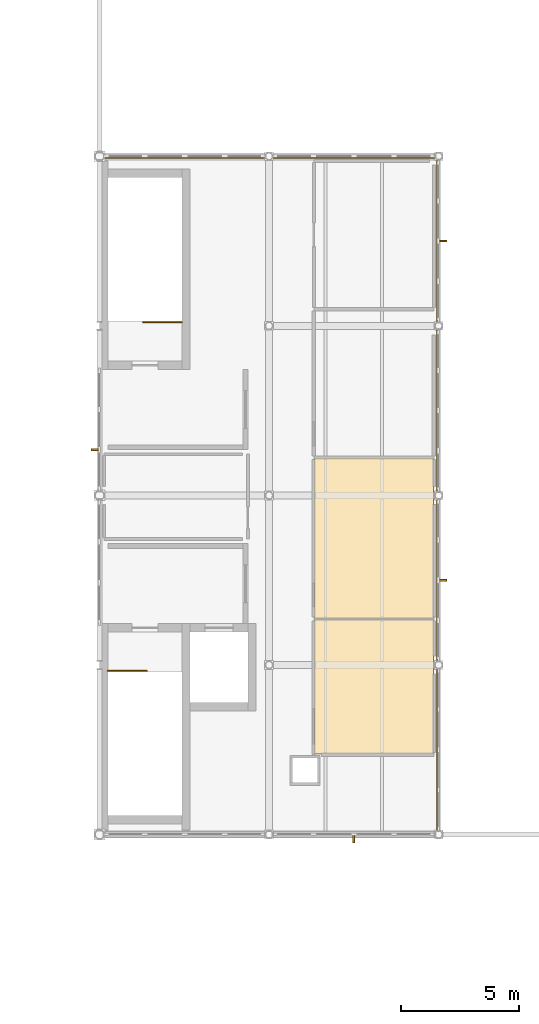
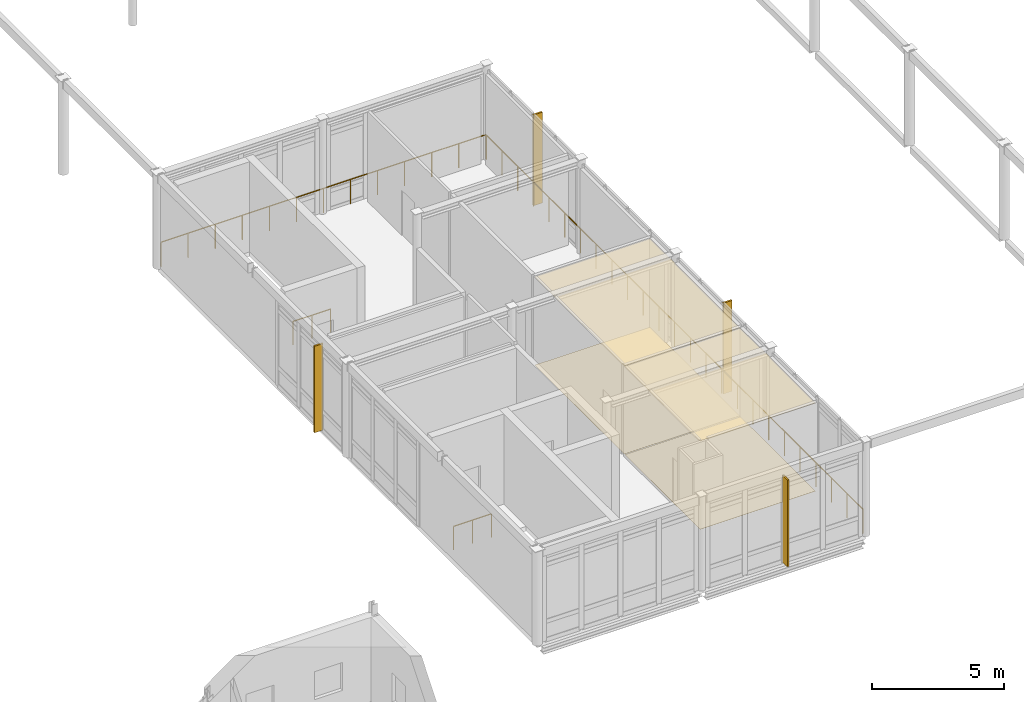
# One storey, part 69 of 72: 4 coverings, 4 railings, 4 shading devices.
"""IFC4 building model written with IfcOpenShell, lengths in metres."""

from ifc_helpers import new_model, si_unit, direction, frame, origin, origin_2d, place, context, subcontext, project, spatial, polyline, rectangle, circle, outline, extrude, material, layer, layer_set, type_object, element, save


model = new_model("IFC4")

# Units and contexts
model_context = context("Model", 3, precision=1e-05, world=origin(), true_north=direction((0.0, 1.0)))
body_context = subcontext(model_context, "Body", "Model", "MODEL_VIEW")
ifc_project = project(units=[si_unit("LENGTHUNIT", "METRE"), si_unit("AREAUNIT", "SQUARE_METRE"), si_unit("VOLUMEUNIT", "CUBIC_METRE"), si_unit("PLANEANGLEUNIT", "RADIAN"), si_unit("MASSUNIT", "GRAM", prefix="KILO")], contexts=[model_context])

# Site, building, storey
site_placement = place(None, origin())
site = spatial("IfcSite", under=ifc_project, at=site_placement, CompositionType="ELEMENT")
building_placement = place(site_placement, origin())
building = spatial("IfcBuilding", under=site, at=building_placement, Name="Zarrinpeak Specialist Clinic", CompositionType="ELEMENT")
storey_placement = place(building_placement, frame((0.0, 0.0, 9.60009765625)))
storey = spatial("IfcBuildingStorey", under=building, at=storey_placement, Name="L02", CompositionType="ELEMENT", Elevation=9.60009765625)

# Coverings
ifc_material_1 = material(Name="Hygienic Acoustic Mineral Fibre Tile")
ifc_layer_1 = layer(ifc_material_1, 0.02490234375)
ifc_layer_set_1 = layer_set([ifc_layer_1], Name="Hygienic Acoustic Mineral Fibre Tile")
covering_type_1 = type_object("IfcCoveringType", Name="CV-CEIL-AC", PredefinedType="CEILING", material=ifc_layer_set_1)
covering_1_placement = place(storey_placement, frame((0.0, 0.0, 4.0849609375)))
element("IfcCovering", 1, at=covering_1_placement, inside=storey, type_object=covering_type_1, Name="L02 Cardiac Pulmonary Rehab Mezzanine Hygienic Acoustic Ceiling", PredefinedType="CEILING", context=body_context, shape_type="SweptSolid", body=[
    extrude(outline(polyline([(102.719970703125, 32.219970703125), (107.780029296875, 32.219970703125), (107.780029296875, 37.929931640625), (102.719970703125, 37.929931640625), (102.719970703125, 32.219970703125)])), origin(), (0.0, 0.0, 1.0), 0.02490234375),
])
covering_2_placement = place(storey_placement, frame((0.0, 0.0, 4.0849609375)))
element("IfcCovering", 2, at=covering_2_placement, inside=storey, type_object=covering_type_1, Name="L02 Mindfulness Recovery Lounge Hygienic Acoustic Ceiling", PredefinedType="CEILING", context=body_context, shape_type="SweptSolid", body=[
    extrude(outline(polyline([(102.719970703125, 37.969970703125), (107.780029296875, 37.969970703125), (107.780029296875, 44.780029296875), (102.719970703125, 44.780029296875), (102.719970703125, 37.969970703125)])), origin(), (0.0, 0.0, 1.0), 0.02490234375),
])
ifc_material_2 = material(Name="Homogeneous Antimicrobial Clinical Vinyl")
ifc_layer_2 = layer(ifc_material_2, 0.008056640625)
ifc_layer_set_2 = layer_set([ifc_layer_2], Name="Homogeneous Antimicrobial Clinical Vinyl")
covering_type_2 = type_object("IfcCoveringType", Name="CV-FLR-VN", PredefinedType="FLOORING", material=ifc_layer_set_2)
covering_3_placement = place(storey_placement, frame((0.0, 0.0, 0.0009765625)))
element("IfcCovering", 3, at=covering_3_placement, inside=storey, type_object=covering_type_2, Name="L02 Cardiac Pulmonary Rehab Mezzanine Antimicrobial Vinyl Flooring", PredefinedType="FLOORING", context=body_context, shape_type="SweptSolid", body=[
    extrude(outline(polyline([(102.719970703125, 32.219970703125), (107.780029296875, 32.219970703125), (107.780029296875, 37.929931640625), (102.719970703125, 37.929931640625), (102.719970703125, 32.219970703125)])), origin(), (0.0, 0.0, 1.0), 0.0078125),
])
covering_4_placement = place(storey_placement, frame((0.0, 0.0, 0.0009765625)))
element("IfcCovering", 4, at=covering_4_placement, inside=storey, type_object=covering_type_2, Name="L02 Mindfulness Recovery Lounge Antimicrobial Vinyl Flooring", PredefinedType="FLOORING", context=body_context, shape_type="SweptSolid", body=[
    extrude(outline(polyline([(102.719970703125, 37.969970703125), (107.780029296875, 37.969970703125), (107.780029296875, 44.780029296875), (102.719970703125, 44.780029296875), (102.719970703125, 37.969970703125)])), origin(), (0.0, 0.0, 1.0), 0.0078125),
])

# Railings
ifc_material_3 = material(Name="Laminated Safety Glass and Stainless Steel 316", Category="steel")
ifc_layer_3 = layer(ifc_material_3, 0.06005859375)
ifc_layer_set_3 = layer_set([ifc_layer_3], Name="Laminated Safety Glass and Stainless Steel 316")
railing_type = type_object("IfcRailingType", Name="RL-GRD115", PredefinedType="GUARDRAIL", material=ifc_layer_set_3)
railing_1_placement = place(storey_placement, frame((107.93994140625, 28.89990234375, 0.0)))
element("IfcRailing", 5, at=railing_1_placement, inside=storey, type_object=railing_type, Name="L02 V3 Winterhouse Gallery Atrium Guardrail", PredefinedType="GUARDRAIL", context=body_context, shape_type="SweptSolid", body=[
    extrude(circle(Radius=0.02392578125, at=origin_2d()), frame((0.0, 0.0, 1.1259765625), z_axis=(0.0, 1.0, 0.0), x_axis=(-1.0, 0.0, 0.0)), (0.0, 0.0, 1.0), 28.60009765625),
    extrude(circle(Radius=0.02099609375, at=origin_2d()), origin(), (0.0, 0.0, 1.0), 1.101806640625),
    extrude(circle(Radius=0.02099609375, at=origin_2d()), frame((0.0, 1.191650390625, 0.0)), (0.0, 0.0, 1.0), 1.101806640625),
    extrude(circle(Radius=0.02099609375, at=origin_2d()), frame((0.0, 2.38330078125, 0.0)), (0.0, 0.0, 1.0), 1.101806640625),
    extrude(circle(Radius=0.02099609375, at=origin_2d()), frame((0.0, 3.574951171875, 0.0)), (0.0, 0.0, 1.0), 1.101806640625),
    extrude(circle(Radius=0.02099609375, at=origin_2d()), frame((0.0, 4.7666015625, 0.0)), (0.0, 0.0, 1.0), 1.101806640625),
    extrude(circle(Radius=0.02099609375, at=origin_2d()), frame((0.0, 5.958251953125, 0.0)), (0.0, 0.0, 1.0), 1.101806640625),
    extrude(circle(Radius=0.02099609375, at=origin_2d()), frame((0.0, 7.14990234375, 0.0)), (0.0, 0.0, 1.0), 1.101806640625),
    extrude(circle(Radius=0.02099609375, at=origin_2d()), frame((0.0, 8.341796875, 0.0)), (0.0, 0.0, 1.0), 1.101806640625),
    extrude(circle(Radius=0.02099609375, at=origin_2d()), frame((0.0, 9.533447265625, 0.0)), (0.0, 0.0, 1.0), 1.101806640625),
    extrude(circle(Radius=0.02099609375, at=origin_2d()), frame((0.0, 10.72509765625, 0.0)), (0.0, 0.0, 1.0), 1.101806640625),
    extrude(circle(Radius=0.02099609375, at=origin_2d()), frame((0.0, 11.916748046875, 0.0)), (0.0, 0.0, 1.0), 1.101806640625),
    extrude(circle(Radius=0.02099609375, at=origin_2d()), frame((0.0, 13.1083984375, 0.0)), (0.0, 0.0, 1.0), 1.101806640625),
    extrude(circle(Radius=0.02099609375, at=origin_2d()), frame((0.0, 14.300048828125, 0.0)), (0.0, 0.0, 1.0), 1.101806640625),
    extrude(circle(Radius=0.02099609375, at=origin_2d()), frame((0.0, 15.49169921875, 0.0)), (0.0, 0.0, 1.0), 1.101806640625),
    extrude(circle(Radius=0.02099609375, at=origin_2d()), frame((0.0, 16.683349609375, 0.0)), (0.0, 0.0, 1.0), 1.101806640625),
    extrude(circle(Radius=0.02099609375, at=origin_2d()), frame((0.0, 17.875, 0.0)), (0.0, 0.0, 1.0), 1.101806640625),
    extrude(circle(Radius=0.02099609375, at=origin_2d()), frame((0.0, 19.066650390625, 0.0)), (0.0, 0.0, 1.0), 1.101806640625),
    extrude(circle(Radius=0.02099609375, at=origin_2d()), frame((0.0, 20.25830078125, 0.0)), (0.0, 0.0, 1.0), 1.101806640625),
    extrude(circle(Radius=0.02099609375, at=origin_2d()), frame((0.0, 21.4501953125, 0.0)), (0.0, 0.0, 1.0), 1.101806640625),
    extrude(circle(Radius=0.02099609375, at=origin_2d()), frame((0.0, 22.641845703125, 0.0)), (0.0, 0.0, 1.0), 1.101806640625),
    extrude(circle(Radius=0.02099609375, at=origin_2d()), frame((0.0, 23.83349609375, 0.0)), (0.0, 0.0, 1.0), 1.101806640625),
    extrude(circle(Radius=0.02099609375, at=origin_2d()), frame((0.0, 25.025146484375, 0.0)), (0.0, 0.0, 1.0), 1.101806640625),
    extrude(circle(Radius=0.02099609375, at=origin_2d()), frame((0.0, 26.216796875, 0.0)), (0.0, 0.0, 1.0), 1.101806640625),
    extrude(circle(Radius=0.02099609375, at=origin_2d()), frame((0.0, 27.408447265625, 0.0)), (0.0, 0.0, 1.0), 1.101806640625),
    extrude(circle(Radius=0.02099609375, at=origin_2d()), frame((0.0, 28.60009765625, 0.0)), (0.0, 0.0, 1.0), 1.101806640625),
])
railing_2_placement = place(storey_placement, frame((93.699951171875, 57.5400390625, 0.0)))
element("IfcRailing", 6, at=railing_2_placement, inside=storey, type_object=railing_type, Name="L02 V3 Winterhouse Gallery North Edge Guardrail", PredefinedType="GUARDRAIL", context=body_context, shape_type="SweptSolid", body=[
    extrude(circle(Radius=0.02392578125, at=origin_2d()), frame((0.0, 0.0, 1.1259765625), z_axis=(1.0, 0.0, 0.0), x_axis=(0.0, 1.0, 0.0)), (0.0, 0.0, 1.0), 14.239990234375),
    extrude(circle(Radius=0.02099609375, at=origin_2d()), origin(), (0.0, 0.0, 1.0), 1.101806640625),
    extrude(circle(Radius=0.02099609375, at=origin_2d()), frame((1.186767578125, 0.0, 0.0)), (0.0, 0.0, 1.0), 1.101806640625),
    extrude(circle(Radius=0.02099609375, at=origin_2d()), frame((2.373291015625, 0.0, 0.0)), (0.0, 0.0, 1.0), 1.101806640625),
    extrude(circle(Radius=0.02099609375, at=origin_2d()), frame((3.56005859375, 0.0, 0.0)), (0.0, 0.0, 1.0), 1.101806640625),
    extrude(circle(Radius=0.02099609375, at=origin_2d()), frame((4.74658203125, 0.0, 0.0)), (0.0, 0.0, 1.0), 1.101806640625),
    extrude(circle(Radius=0.02099609375, at=origin_2d()), frame((5.933349609375, 0.0, 0.0)), (0.0, 0.0, 1.0), 1.101806640625),
    extrude(circle(Radius=0.02099609375, at=origin_2d()), frame((7.1201171875, 0.0, 0.0)), (0.0, 0.0, 1.0), 1.101806640625),
    extrude(circle(Radius=0.02099609375, at=origin_2d()), frame((8.306640625, 0.0, 0.0)), (0.0, 0.0, 1.0), 1.101806640625),
    extrude(circle(Radius=0.02099609375, at=origin_2d()), frame((9.493408203125, 0.0, 0.0)), (0.0, 0.0, 1.0), 1.101806640625),
    extrude(circle(Radius=0.02099609375, at=origin_2d()), frame((10.679931640625, 0.0, 0.0)), (0.0, 0.0, 1.0), 1.101806640625),
    extrude(circle(Radius=0.02099609375, at=origin_2d()), frame((11.86669921875, 0.0, 0.0)), (0.0, 0.0, 1.0), 1.101806640625),
    extrude(circle(Radius=0.02099609375, at=origin_2d()), frame((13.05322265625, 0.0, 0.0)), (0.0, 0.0, 1.0), 1.101806640625),
    extrude(circle(Radius=0.02099609375, at=origin_2d()), frame((14.239990234375, 0.0, 0.0)), (0.0, 0.0, 1.0), 1.101806640625),
])
railing_3_placement = place(storey_placement, frame((93.949951171875, 35.75, 0.0)))
element("IfcRailing", 7, at=railing_3_placement, inside=storey, type_object=railing_type, Name="L02 ST-05 top well guard 1", PredefinedType="GUARDRAIL", context=body_context, shape_type="SweptSolid", body=[
    extrude(circle(Radius=0.02392578125, at=origin_2d()), frame((0.0, 0.0, 1.076171875), z_axis=(1.0, 0.0, 0.0), x_axis=(0.0, 1.0, 0.0)), (0.0, 0.0, 1.0), 1.650146484375),
    extrude(circle(Radius=0.02099609375, at=origin_2d()), origin(), (0.0, 0.0, 1.0), 1.052001953125),
    extrude(circle(Radius=0.02099609375, at=origin_2d()), frame((0.8251953125, 0.0, 0.0)), (0.0, 0.0, 1.0), 1.052001953125),
    extrude(circle(Radius=0.02099609375, at=origin_2d()), frame((1.650146484375, 0.0, 0.0)), (0.0, 0.0, 1.0), 1.052001953125),
])
railing_4_placement = place(storey_placement, frame((97.10009765625, 50.550048828125, 0.0)))
element("IfcRailing", 8, at=railing_4_placement, inside=storey, type_object=railing_type, Name="L02 ST-06 top well guard 1", PredefinedType="GUARDRAIL", context=body_context, shape_type="SweptSolid", body=[
    extrude(circle(Radius=0.02392578125, at=origin_2d()), frame((0.0, 0.0, 1.076171875), z_axis=(-1.0, 0.0, 0.0), x_axis=(0.0, -1.0, 0.0)), (0.0, 0.0, 1.0), 1.650146484375),
    extrude(circle(Radius=0.02099609375, at=origin_2d()), origin(), (0.0, 0.0, 1.0), 1.052001953125),
    extrude(circle(Radius=0.02099609375, at=origin_2d()), frame((-0.8251953125, 0.0, 0.0)), (0.0, 0.0, 1.0), 1.052001953125),
    extrude(circle(Radius=0.02099609375, at=origin_2d()), frame((-1.650146484375, 0.0, 0.0)), (0.0, 0.0, 1.0), 1.052001953125),
])

# Shading devices
ifc_material_4 = material(Name="Anodised Bronze Aluminium", Category="aluminium")
shading_device_type = type_object("IfcShadingDeviceType", Name="SHD-FIN-BZ", PredefinedType="JALOUSIE", material=ifc_material_4)
shading_device_1_placement = place(storey_placement, frame((104.39990234375, 28.635009765625, -0.01513671875), z_axis=(0.0, 0.0, 1.0), x_axis=(1.0, 0.0, 0.0)))
element("IfcShadingDevice", 9, at=shading_device_1_placement, inside=storey, type_object=shading_device_type, Name="L02 V3 Solar Control Fin FIN-069", PredefinedType="JALOUSIE", context=body_context, shape_type="SweptSolid", body=[
    extrude(rectangle(XDim=0.074951171875, YDim=0.3798828125, at=origin_2d()), origin(), (0.0, 0.0, 1.0), 4.014892578125),
])
shading_device_2_placement = place(storey_placement, frame((93.43505859375, 45.135498046875, -0.01513671875), z_axis=(0.0, 0.0, 1.0), x_axis=(1.0, 0.0, 0.0)))
element("IfcShadingDevice", 10, at=shading_device_2_placement, inside=storey, type_object=shading_device_type, Name="L02 V3 Solar Control Fin FIN-070", PredefinedType="JALOUSIE", context=body_context, shape_type="SweptSolid", body=[
    extrude(rectangle(XDim=0.3798828125, YDim=0.074951171875, at=origin_2d()), origin(), (0.0, 0.0, 1.0), 4.014892578125),
])
for number, where, z_axis, x_axis, name in (
    (11, (108.1650390625, 39.60009765625, -0.01513671875), (0.0, 0.0, 1.0), (1.0, 0.0, 0.0), "L02 V3 Solar Control Fin FIN-071"),
    (12, (108.1650390625, 54.0, -0.01513671875), (0.0, 0.0, 1.0), (1.0, 0.0, 0.0), "L02 V3 Solar Control Fin FIN-072"),
):
    element("IfcShadingDevice", number, at=place(storey_placement, frame(where, z_axis=z_axis, x_axis=x_axis)), inside=storey, type_object=shading_device_type, Name=name, PredefinedType="JALOUSIE", context=body_context, shape_type="SweptSolid", body=[
        extrude(rectangle(XDim=0.3798828125, YDim=0.074951171875, at=origin_2d()), origin(), (0.0, 0.0, 1.0), 4.2099609375),
    ])

save(model, "model.ifc")
